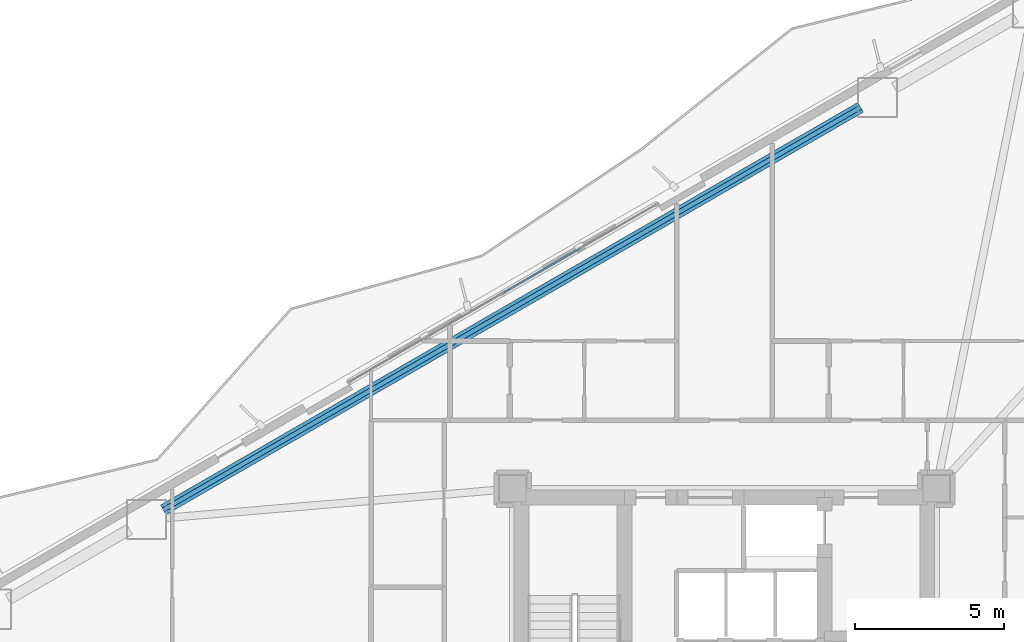
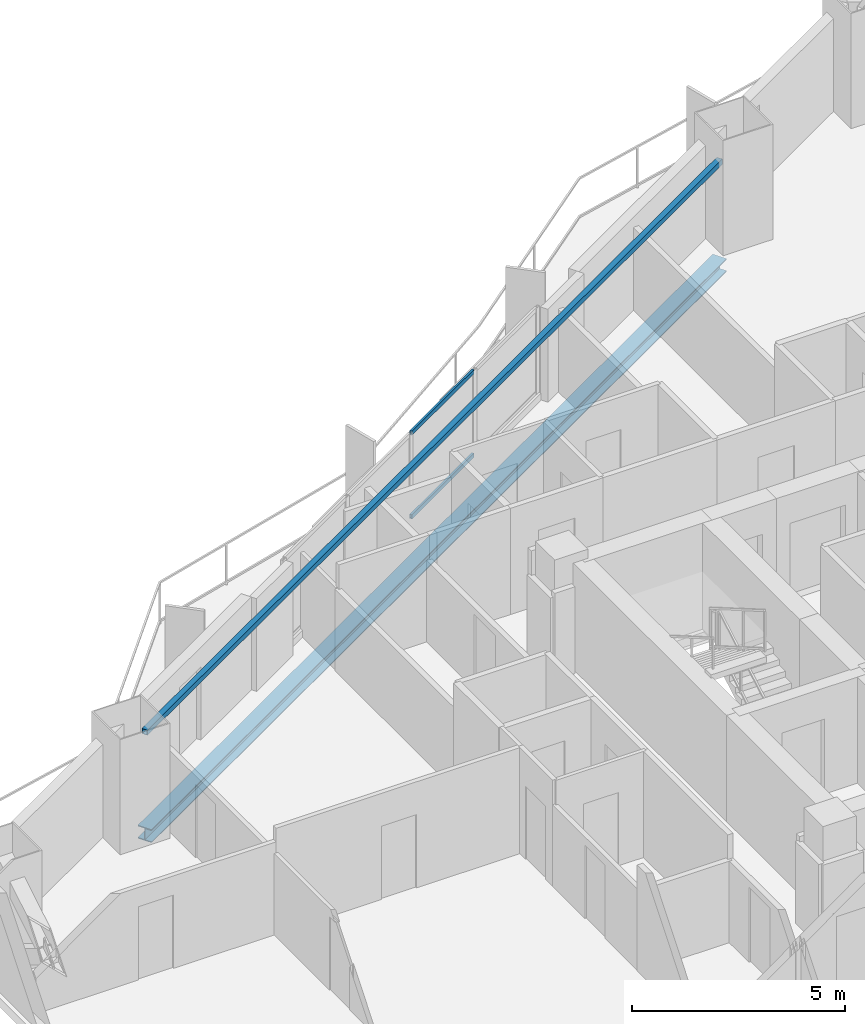
# One storey, part 8 of 19: 2 beams, 2 members, 1 element without a shape of its own.
"""IFC4 building model written with IfcOpenShell, lengths in metres."""

from ifc_helpers import new_model, si_unit, direction, frame, origin, origin_2d, place, context, subcontext, project, spatial, hollow_rectangle, i_section, extrude, material, layer, layer_set, material_profile, profile_set, type_object, element, aggregate, save


model = new_model("IFC4")

# Units and contexts
model_context = context("Model", 3, precision=1e-05, world=origin(), true_north=direction((0.0, 1.0)))
body_context = subcontext(model_context, "Body", "Model", "MODEL_VIEW")
ifc_project = project(units=[si_unit("LENGTHUNIT", "METRE"), si_unit("AREAUNIT", "SQUARE_METRE"), si_unit("VOLUMEUNIT", "CUBIC_METRE"), si_unit("PLANEANGLEUNIT", "RADIAN"), si_unit("MASSUNIT", "GRAM", prefix="KILO")], contexts=[model_context])

# Site, building, storey
site_placement = place(None, origin())
site = spatial("IfcSite", under=ifc_project, at=site_placement, CompositionType="ELEMENT")
building_placement = place(site_placement, origin())
building = spatial("IfcBuilding", under=site, at=building_placement, Name="Mersakhor Tower and Convention Hall", CompositionType="ELEMENT")
storey_placement = place(building_placement, frame((0.0, 0.0, 42.300048828125)))
storey = spatial("IfcBuildingStorey", under=building, at=storey_placement, Name="L11", CompositionType="ELEMENT", Elevation=42.300048828125)

# Beams
ifc_material_1 = material(Name="Steel S355", Category="steel")
ifc_material_profile_1 = material_profile(ifc_material_1, hollow_rectangle(XDim=0.14990234375, YDim=0.14990234375, WallThickness=0.010009765625, at=origin_2d()), Name="SHS 150x150x10")
ifc_profile_set_1 = profile_set([ifc_material_profile_1], Name="Steel S355")
beam_type_1 = type_object("IfcBeamType", Name="BM-GRT-SHS150", PredefinedType="USERDEFINED", material=ifc_profile_set_1)
beam_1_placement = place(storey_placement, frame((10.183837890625, 32.341064453125, 2.47998046875), z_axis=(0.866025970279, 0.499999018801, 0.0), x_axis=(-0.499999018801, 0.866025970279, 0.0)))
element("IfcBeam", 1, at=beam_1_placement, inside=storey, type_object=beam_type_1, Name="L11 Facade Support Girt GRT-F1", ObjectType="GIRT", PredefinedType="USERDEFINED", context=body_context, shape_type="SweptSolid", body=[
    extrude(hollow_rectangle(XDim=0.14990234375, YDim=0.14990234375, WallThickness=0.010009765625, at=origin_2d()), origin(), (0.0, 0.0, 1.0), 26.99951171875),
])
ifc_material_2 = material(Name="Steel S355", Category="steel")
ifc_material_profile_2 = material_profile(ifc_material_2, i_section(OverallWidth=0.374755859375, OverallDepth=0.37451171875, WebThickness=0.0166015625, FlangeThickness=0.027099609375, at=origin_2d()), Name="UC 356x368x202")
ifc_profile_set_2 = profile_set([ifc_material_profile_2], Name="Steel S355")
beam_type_2 = type_object("IfcBeamType", Name="BM-SPD-UC356", PredefinedType="SPANDREL", material=ifc_profile_set_2)
beam_2_placement = place(storey_placement, frame((10.183837890625, 32.341064453125, -0.447265625), z_axis=(0.866025970279, 0.499999018801, 0.0), x_axis=(-0.499999018801, 0.866025970279, 0.0)))
element("IfcBeam", 2, at=beam_2_placement, inside=storey, type_object=beam_type_2, Name="L11 Perimeter Spandrel Beam SPB-02", PredefinedType="SPANDREL", context=body_context, shape_type="SweptSolid", body=[
    extrude(i_section(OverallWidth=0.374755859375, OverallDepth=0.37451171875, WebThickness=0.0166015625, FlangeThickness=0.027099609375, at=origin_2d()), origin(), (0.0, 0.0, 1.0), 26.99951171875),
])

# Curtain wall, members
ifc_material_3 = material(Name="Dark solar low-E aluminium curtain wall", Category="aluminium")
ifc_layer = layer(ifc_material_3, 0.159912109375)
ifc_layer_set = layer_set([ifc_layer], Name="Dark solar low-E aluminium curtain wall")
curtain_wall_type = type_object("IfcCurtainWallType", Name="CW-SYS-01", PredefinedType="USERDEFINED", material=ifc_layer_set)
curtain_wall_placement = place(storey_placement, origin())
curtain_wall = element("IfcCurtainWall", 3, at=curtain_wall_placement, inside=storey, type_object=curtain_wall_type, Name="L11 Dark-Glass Curtain Wall F1-B2", ObjectType="CURTAIN WALL", PredefinedType="USERDEFINED")
ifc_material_4 = material(Name="Anodised aluminium EN AW-6063 T6", Category="aluminium")
ifc_material_profile_3 = material_profile(ifc_material_4, hollow_rectangle(XDim=0.06005859375, YDim=0.1201171875, WallThickness=0.0048828125, at=origin_2d()), Name="RHS 120x60x5")
ifc_profile_set_3 = profile_set([ifc_material_profile_3], Name="Anodised aluminium EN AW-6063 T6")
member_type = type_object("IfcMemberType", Name="CWT-120x60", PredefinedType="USERDEFINED", material=ifc_profile_set_3)
member_1_placement = place(storey_placement, frame((21.607421875, 39.629150390625, 0.22998046875), z_axis=(0.866015622527, 0.500016941252, 0.0), x_axis=(-0.500016941252, 0.866015622527, 0.0)))
member_1 = element("IfcMember", 4, at=member_1_placement, type_object=member_type, Name="CW-01 transom 3.1", ObjectType="TRANSOM", PredefinedType="USERDEFINED", context=body_context, shape_type="SweptSolid", body=[
    extrude(hollow_rectangle(XDim=0.06005859375, YDim=0.1201171875, WallThickness=0.0048828125, at=origin_2d()), origin(), (0.0, 0.0, 1.0), 2.91845703125),
])
member_2_placement = place(storey_placement, frame((21.607421875, 39.629150390625, 2.6298828125), z_axis=(0.866015622527, 0.500016941252, 0.0), x_axis=(-0.500016941252, 0.866015622527, 0.0)))
member_2 = element("IfcMember", 5, at=member_2_placement, type_object=member_type, Name="CW-01 transom 3.2", ObjectType="TRANSOM", PredefinedType="USERDEFINED", context=body_context, shape_type="SweptSolid", body=[
    extrude(hollow_rectangle(XDim=0.06005859375, YDim=0.1201171875, WallThickness=0.0048828125, at=origin_2d()), origin(), (0.0, 0.0, 1.0), 2.91845703125),
])
aggregate(curtain_wall, [member_1, member_2])

save(model, "model.ifc")
